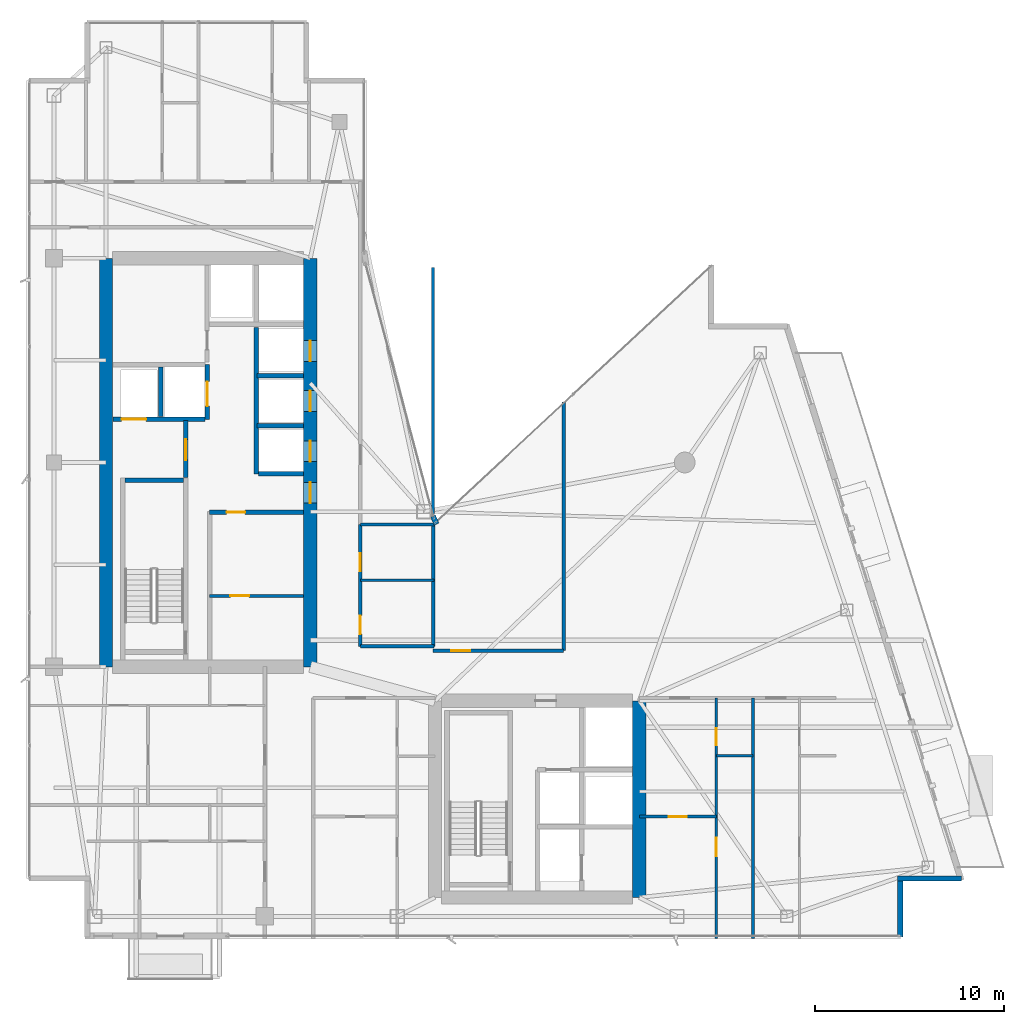
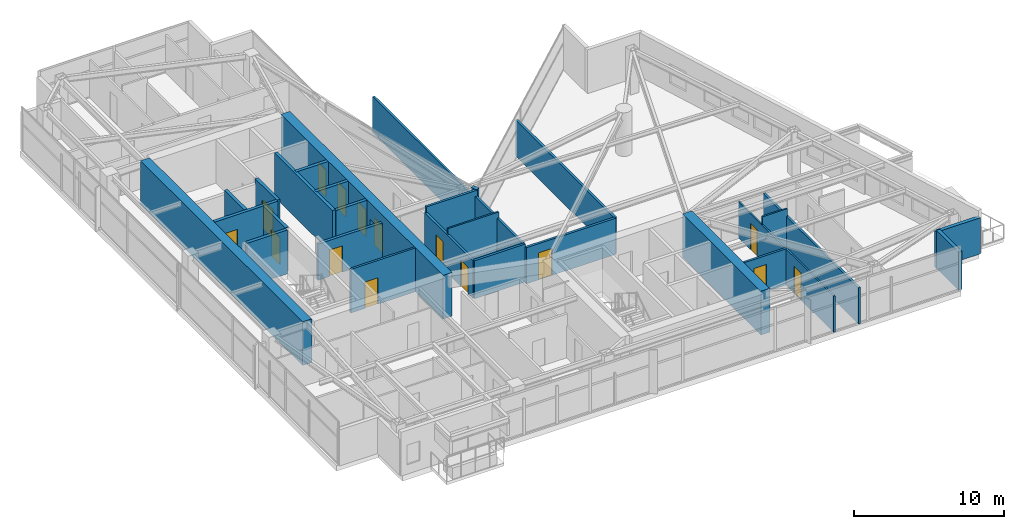
# One storey, part 23 of 28: 29 walls, 15 doors, 15 openings.
"""IFC4 building model written with IfcOpenShell, lengths in metres."""

from ifc_helpers import new_model, si_unit, direction, frame, frame_2d, origin, place, context, subcontext, project, spatial, rectangle, extrude, material, layer, layer_set, type_object, element, fill, save


model = new_model("IFC4")

# Units and contexts
model_context = context("Model", 3, precision=1e-05, world=origin(), true_north=direction((0.0, 1.0)))
body_context = subcontext(model_context, "Body", "Model", "MODEL_VIEW")
ifc_project = project(units=[si_unit("LENGTHUNIT", "METRE"), si_unit("AREAUNIT", "SQUARE_METRE"), si_unit("VOLUMEUNIT", "CUBIC_METRE"), si_unit("PLANEANGLEUNIT", "RADIAN"), si_unit("MASSUNIT", "GRAM", prefix="KILO")], contexts=[model_context])

# Site, building, storey
site_placement = place(None, origin())
site = spatial("IfcSite", under=ifc_project, at=site_placement, CompositionType="ELEMENT")
building_placement = place(site_placement, origin())
building = spatial("IfcBuilding", under=site, at=building_placement, Name="Calvorn Quay Hotel", CompositionType="ELEMENT")
storey_placement = place(building_placement, frame((0.0, 0.0, 219.300048828125)))
storey = spatial("IfcBuildingStorey", under=building, at=storey_placement, Name="L54", CompositionType="ELEMENT", Elevation=219.300048828125)

# Wall
ifc_material_1 = material(Name="Concrete C45", Category="concrete")
ifc_layer_1 = layer(ifc_material_1, 0.699951171875)
ifc_layer_set_1 = layer_set([ifc_layer_1], Name="WL-CORE-700")
wall_type_1 = type_object("IfcWallType", Name="WL-CORE-700", PredefinedType="SHEAR", material=ifc_layer_set_1)
wall_1_placement = place(storey_placement, frame((4.199951171875, 16.800048828125, 0.0), z_axis=(0.0, 0.0, 1.0), x_axis=(0.0, 1.0, 0.0)))
element("IfcWall", 1, at=wall_1_placement, inside=storey, type_object=wall_type_1, Name="West Core Shear Wall W (L54)", PredefinedType="SHEAR", context=body_context, shape_type="SweptSolid", body=[
    extrude(rectangle(XDim=21.599853515625, YDim=0.699951171875, at=frame_2d((10.7998046875, 0.0))), origin(), (0.0, 0.0, 1.0), 3.56005859375),
])

# Wall, openings, doors
wall_2_placement = place(storey_placement, frame((15.0, 16.800048828125, 0.0), z_axis=(0.0, 0.0, 1.0), x_axis=(0.0, 1.0, 0.0)))
wall_2 = element("IfcWall", 2, at=wall_2_placement, inside=storey, type_object=wall_type_1, Name="West Core Shear Wall E (L54)", PredefinedType="SHEAR", context=body_context, shape_type="SweptSolid", body=[
    extrude(rectangle(XDim=21.599853515625, YDim=0.699951171875, at=frame_2d((10.7998046875, 0.0))), origin(), (0.0, 0.0, 1.0), 3.56005859375),
])
opening_1_placement = place(wall_2_placement, frame((8.64990234375, 0.0, 0.0)))
opening_1 = element("IfcOpeningElement", 3, at=opening_1_placement, cuts=wall_2, Name="Opening D-L54-CW1", PredefinedType="OPENING", context=body_context, shape_type="SweptSolid", body=[
    extrude(rectangle(XDim=1.10009765625, YDim=2.199951171875, at=frame_2d((0.550048828125, 1.10009765625))), frame((0.0, 0.35986328125, 0.0), z_axis=(0.0, -1.0, 0.0), x_axis=(1.0, 0.0, 0.0)), (0.0, 0.0, 1.0), 0.719970703125),
])
opening_2_placement = place(wall_2_placement, frame((10.85009765625, 0.0, 0.0)))
opening_2 = element("IfcOpeningElement", 4, at=opening_2_placement, cuts=wall_2, Name="Opening LD-L54-M1", PredefinedType="OPENING", context=body_context, shape_type="SweptSolid", body=[
    extrude(rectangle(XDim=1.10009765625, YDim=2.199951171875, at=frame_2d((0.550048828125, 1.10009765625))), frame((0.0, 0.35986328125, 0.0), z_axis=(0.0, -1.0, 0.0), x_axis=(1.0, 0.0, 0.0)), (0.0, 0.0, 1.0), 0.719970703125),
])
opening_3_placement = place(wall_2_placement, frame((13.5, 0.0, 0.0)))
opening_3 = element("IfcOpeningElement", 5, at=opening_3_placement, cuts=wall_2, Name="Opening LD-L54-M2", PredefinedType="OPENING", context=body_context, shape_type="SweptSolid", body=[
    extrude(rectangle(XDim=1.10009765625, YDim=2.199951171875, at=frame_2d((0.550048828125, 1.10009765625))), frame((0.0, 0.35986328125, 0.0), z_axis=(0.0, -1.0, 0.0), x_axis=(1.0, 0.0, 0.0)), (0.0, 0.0, 1.0), 0.719970703125),
])
opening_4_placement = place(wall_2_placement, frame((16.14990234375, 0.0, 0.0)))
opening_4 = element("IfcOpeningElement", 6, at=opening_4_placement, cuts=wall_2, Name="Opening LD-L54-M3", PredefinedType="OPENING", context=body_context, shape_type="SweptSolid", body=[
    extrude(rectangle(XDim=1.10009765625, YDim=2.199951171875, at=frame_2d((0.550048828125, 1.10009765625))), frame((0.0, 0.35986328125, 0.0), z_axis=(0.0, -1.0, 0.0), x_axis=(1.0, 0.0, 0.0)), (0.0, 0.0, 1.0), 0.719970703125),
])
ifc_material_2 = material(Name="Smoke-Sealed Steel Class A Fire Door", Category="steel")
door_type_1 = type_object("IfcDoorType", Name="DR-FFLOBBY-1100", OperationType="NOTDEFINED", PredefinedType="DOOR", material=ifc_material_2)
door_1_placement = place(opening_1_placement, origin())
door_1 = element("IfcDoor", 7, at=door_1_placement, inside=storey, type_object=door_type_1, Name="West Core Vestibule Fire Door (L54)", OperationType="SINGLE_SWING_LEFT", OverallHeight=2.199951171875, OverallWidth=1.10009765625, PredefinedType="DOOR", context=body_context, shape_type="SweptSolid", body=[
    extrude(rectangle(XDim=1.10009765625, YDim=2.199951171875, at=frame_2d((0.550048828125, 1.10009765625))), frame((0.0, 0.02490234375, 0.0), z_axis=(0.0, -1.0, 0.0), x_axis=(1.0, 0.0, 0.0)), (0.0, 0.0, 1.0), 0.050048828125),
])
fill(opening_1, door_1)
ifc_material_3 = material(Name="Brushed Stainless Steel Sliding Lift Landing Door", Category="steel")
door_type_2 = type_object("IfcDoorType", Name="DR-LIFT-PASS-1100", OperationType="NOTDEFINED", PredefinedType="DOOR", material=ifc_material_3)
door_2_placement = place(opening_2_placement, origin())
door_2 = element("IfcDoor", 8, at=door_2_placement, inside=storey, type_object=door_type_2, Name="Mid-Rise Lift PL-M1 Landing Door (L54)", OperationType="DOUBLE_DOOR_SLIDING", OverallHeight=2.199951171875, OverallWidth=1.10009765625, PredefinedType="DOOR", context=body_context, shape_type="SweptSolid", body=[
    extrude(rectangle(XDim=1.10009765625, YDim=2.199951171875, at=frame_2d((0.550048828125, 1.10009765625))), frame((0.0, 0.02490234375, 0.0), z_axis=(0.0, -1.0, 0.0), x_axis=(1.0, 0.0, 0.0)), (0.0, 0.0, 1.0), 0.050048828125),
])
fill(opening_2, door_2)
door_3_placement = place(opening_3_placement, origin())
door_3 = element("IfcDoor", 9, at=door_3_placement, inside=storey, type_object=door_type_2, Name="Mid-Rise Lift PL-M2 Landing Door (L54)", OperationType="DOUBLE_DOOR_SLIDING", OverallHeight=2.199951171875, OverallWidth=1.10009765625, PredefinedType="DOOR", context=body_context, shape_type="SweptSolid", body=[
    extrude(rectangle(XDim=1.10009765625, YDim=2.199951171875, at=frame_2d((0.550048828125, 1.10009765625))), frame((0.0, 0.02490234375, 0.0), z_axis=(0.0, -1.0, 0.0), x_axis=(1.0, 0.0, 0.0)), (0.0, 0.0, 1.0), 0.050048828125),
])
fill(opening_3, door_3)
door_4_placement = place(opening_4_placement, origin())
door_4 = element("IfcDoor", 10, at=door_4_placement, inside=storey, type_object=door_type_2, Name="Mid-Rise Lift PL-M3 Landing Door (L54)", OperationType="DOUBLE_DOOR_SLIDING", OverallHeight=2.199951171875, OverallWidth=1.10009765625, PredefinedType="DOOR", context=body_context, shape_type="SweptSolid", body=[
    extrude(rectangle(XDim=1.10009765625, YDim=2.199951171875, at=frame_2d((0.550048828125, 1.10009765625))), frame((0.0, 0.02490234375, 0.0), z_axis=(0.0, -1.0, 0.0), x_axis=(1.0, 0.0, 0.0)), (0.0, 0.0, 1.0), 0.050048828125),
])
fill(opening_4, door_4)

# Walls
wall_3_placement = place(storey_placement, frame((32.39990234375, 4.60009765625, 0.0), z_axis=(0.0, 0.0, 1.0), x_axis=(0.0, 1.0, 0.0)))
element("IfcWall", 11, at=wall_3_placement, inside=storey, type_object=wall_type_1, Name="East Core Shear Wall E (L54)", PredefinedType="SHEAR", context=body_context, shape_type="SweptSolid", body=[
    extrude(rectangle(XDim=10.39990234375, YDim=0.699951171875, at=frame_2d((5.199951171875, 0.0))), origin(), (0.0, 0.0, 1.0), 3.56005859375),
])
ifc_material_4 = material(Name="Acoustic Fireboard Steel-Stud Partition", Category="steel")
ifc_layer_2 = layer(ifc_material_4, 0.179931640625)
ifc_layer_set_2 = layer_set([ifc_layer_2], Name="WL-CORR-FIRE-180")
wall_type_2 = type_object("IfcWallType", Name="WL-CORR-FIRE-180", PredefinedType="PARTITIONING", material=ifc_layer_set_2)
wall_4_placement = place(storey_placement, frame((17.64990234375, 17.8798828125, 0.0), z_axis=(0.0, 0.0, 1.0), x_axis=(1.0, 0.0, 0.0)))
element("IfcWall", 12, at=wall_4_placement, inside=storey, type_object=wall_type_2, Name="Partition Wall L54-WL-HK-S", PredefinedType="PARTITIONING", context=body_context, shape_type="SweptSolid", body=[
    extrude(rectangle(XDim=3.900146484375, YDim=0.179931640625, at=frame_2d((1.9501953125, 0.0))), origin(), (0.0, 0.0, 1.0), 3.08984375),
])
wall_5_placement = place(storey_placement, frame((17.64990234375, 24.320068359375, 0.0), z_axis=(0.0, 0.0, 1.0), x_axis=(1.0, 0.0, 0.0)))
element("IfcWall", 13, at=wall_5_placement, inside=storey, type_object=wall_type_2, Name="Partition Wall L54-WL-HK-N", PredefinedType="PARTITIONING", context=body_context, shape_type="SweptSolid", body=[
    extrude(rectangle(XDim=3.9501953125, YDim=0.179931640625, at=frame_2d((1.97509765625, 0.0))), origin(), (0.0, 0.0, 1.0), 3.56005859375),
])
wall_6_placement = place(storey_placement, frame((21.5, 17.8798828125, 0.0), z_axis=(0.0, 0.0, 1.0), x_axis=(0.0, 1.0, 0.0)))
element("IfcWall", 14, at=wall_6_placement, inside=storey, type_object=wall_type_2, Name="Partition Wall L54-WL-HK-E", PredefinedType="PARTITIONING", context=body_context, shape_type="SweptSolid", body=[
    extrude(rectangle(XDim=6.440185546875, YDim=0.179931640625, at=frame_2d((3.22021484375, 0.0))), origin(), (0.0, 0.0, 1.0), 3.08984375),
])

# Wall, openings, doors
wall_7_placement = place(storey_placement, frame((17.64990234375, 17.8798828125, 0.0), z_axis=(0.0, 0.0, 1.0), x_axis=(0.0, 1.0, 0.0)))
wall_7 = element("IfcWall", 15, at=wall_7_placement, inside=storey, type_object=wall_type_2, Name="Partition Wall L54-WL-HK-W", PredefinedType="PARTITIONING", context=body_context, shape_type="SweptSolid", body=[
    extrude(rectangle(XDim=6.440185546875, YDim=0.179931640625, at=frame_2d((3.22021484375, 0.0))), origin(), (0.0, 0.0, 1.0), 3.08984375),
])
opening_5_placement = place(wall_7_placement, frame((0.64990234375, 0.0, 0.0)))
opening_5 = element("IfcOpeningElement", 16, at=opening_5_placement, cuts=wall_7, Name="Opening D-L54-HK", PredefinedType="OPENING", context=body_context, shape_type="SweptSolid", body=[
    extrude(rectangle(XDim=0.97998046875, YDim=2.14990234375, at=frame_2d((0.489990234375, 1.074951171875))), frame((0.0, 0.099853515625, 0.0), z_axis=(0.0, -1.0, 0.0), x_axis=(1.0, 0.0, 0.0)), (0.0, 0.0, 1.0), 0.199951171875),
])
opening_6_placement = place(wall_7_placement, frame((3.969970703125, 0.0, 0.0)))
opening_6 = element("IfcOpeningElement", 17, at=opening_6_placement, cuts=wall_7, Name="Opening D-L54-NCP", PredefinedType="OPENING", context=body_context, shape_type="SweptSolid", body=[
    extrude(rectangle(XDim=0.9599609375, YDim=2.199951171875, at=frame_2d((0.47998046875, 1.10009765625))), frame((0.0, 0.099853515625, 0.0), z_axis=(0.0, -1.0, 0.0), x_axis=(1.0, 0.0, 0.0)), (0.0, 0.0, 1.0), 0.199951171875),
])
ifc_material_5 = material(Name="Painted Steel Housekeeping/Riser Fire Door", Category="steel")
door_type_3 = type_object("IfcDoorType", Name="DR-SERVICE-980", OperationType="NOTDEFINED", PredefinedType="DOOR", material=ifc_material_5)
door_5_placement = place(opening_5_placement, origin())
door_5 = element("IfcDoor", 18, at=door_5_placement, inside=storey, type_object=door_type_3, Name="Floor Housekeeping Door (L54)", OperationType="SINGLE_SWING_LEFT", OverallHeight=2.14990234375, OverallWidth=0.97998046875, PredefinedType="DOOR", context=body_context, shape_type="SweptSolid", body=[
    extrude(rectangle(XDim=0.97998046875, YDim=2.14990234375, at=frame_2d((0.489990234375, 1.074951171875))), frame((0.0, 0.02490234375, 0.0), z_axis=(0.0, -1.0, 0.0), x_axis=(1.0, 0.0, 0.0)), (0.0, 0.0, 1.0), 0.050048828125),
])
fill(opening_5, door_5)
ifc_material_6 = material(Name="Solid Timber Internal Suite Door", Category="wood")
door_type_4 = type_object("IfcDoorType", Name="DR-SUITE-INT-960", OperationType="NOTDEFINED", PredefinedType="DOOR", material=ifc_material_6)
door_6_placement = place(opening_6_placement, origin())
door_6 = element("IfcDoor", 19, at=door_6_placement, inside=storey, type_object=door_type_4, Name="Reading Alcove Door (L54)", OperationType="SINGLE_SWING_RIGHT", OverallHeight=2.199951171875, OverallWidth=0.9599609375, PredefinedType="DOOR", context=body_context, shape_type="SweptSolid", body=[
    extrude(rectangle(XDim=0.9599609375, YDim=2.199951171875, at=frame_2d((0.47998046875, 1.10009765625))), frame((0.0, 0.02490234375, 0.0), z_axis=(0.0, -1.0, 0.0), x_axis=(1.0, 0.0, 0.0)), (0.0, 0.0, 1.0), 0.050048828125),
])
fill(opening_6, door_6)

# Wall, opening, door
wall_8_placement = place(storey_placement, frame((21.5, 17.64990234375, 0.0), z_axis=(0.0, 0.0, 1.0), x_axis=(1.0, 0.0, 0.0)))
wall_8 = element("IfcWall", 20, at=wall_8_placement, inside=storey, type_object=wall_type_2, Name="Partition Wall L54-WL-CORR-NE-N", PredefinedType="PARTITIONING", context=body_context, shape_type="SweptSolid", body=[
    extrude(rectangle(XDim=6.89990234375, YDim=0.179931640625, at=frame_2d((3.449951171875, 0.0))), origin(), (0.0, 0.0, 1.0), 2.93994140625),
])
opening_7_placement = place(wall_8_placement, frame((0.949951171875, 0.0, 0.0)))
opening_7 = element("IfcOpeningElement", 21, at=opening_7_placement, cuts=wall_8, Name="Opening D-L54-NS1", PredefinedType="OPENING", context=body_context, shape_type="SweptSolid", body=[
    extrude(rectangle(XDim=1.02001953125, YDim=2.199951171875, at=frame_2d((0.510009765625, 1.10009765625))), frame((0.0, 0.099853515625, 0.0), z_axis=(0.0, -1.0, 0.0), x_axis=(1.0, 0.0, 0.0)), (0.0, 0.0, 1.0), 0.199951171875),
])
ifc_material_7 = material(Name="Solid-Core Walnut Veneer Hotel Fire Door")
door_type_5 = type_object("IfcDoorType", Name="DR-GUEST-ENTRY-1020", OperationType="NOTDEFINED", PredefinedType="DOOR", material=ifc_material_7)
door_7_placement = place(opening_7_placement, origin())
door_7 = element("IfcDoor", 22, at=door_7_placement, inside=storey, type_object=door_type_5, Name="Conservatory Salon Door 1 (L54)", OperationType="SINGLE_SWING_RIGHT", OverallHeight=2.199951171875, OverallWidth=1.02001953125, PredefinedType="DOOR", context=body_context, shape_type="SweptSolid", body=[
    extrude(rectangle(XDim=1.02001953125, YDim=2.199951171875, at=frame_2d((0.510009765625, 1.10009765625))), frame((0.0, 0.02490234375, 0.0), z_axis=(0.0, -1.0, 0.0), x_axis=(1.0, 0.0, 0.0)), (0.0, 0.0, 1.0), 0.050048828125),
])
fill(opening_7, door_7)

# Walls
wall_9_placement = place(storey_placement, frame((28.39990234375, 17.64990234375, 0.0), z_axis=(0.0, 0.0, 1.0), x_axis=(0.0, 1.0, 0.0)))
element("IfcWall", 23, at=wall_9_placement, inside=storey, type_object=wall_type_2, Name="Partition Wall L54-WL-NE-END-E", PredefinedType="PARTITIONING", context=body_context, shape_type="SweptSolid", body=[
    extrude(rectangle(XDim=13.16015625, YDim=0.179931640625, at=frame_2d((6.580078125, 0.0))), origin(), (0.0, 0.0, 1.0), 2.93994140625),
])
ifc_material_8 = material(Name="Moisture-Resistant Tile-Backed Partition")
ifc_layer_3 = layer(ifc_material_8, 0.125)
ifc_layer_set_3 = layer_set([ifc_layer_3], Name="WL-ENSUITE-125")
wall_type_3 = type_object("IfcWallType", Name="WL-ENSUITE-125", PredefinedType="PARTITIONING", material=ifc_layer_set_3)
wall_10_placement = place(storey_placement, frame((17.64990234375, 21.3798828125, 0.0), z_axis=(0.0, 0.0, 1.0), x_axis=(1.0, 0.0, 0.0)))
element("IfcWall", 24, at=wall_10_placement, inside=storey, type_object=wall_type_3, Name="Partition Wall L54-WL-HK-M", PredefinedType="PARTITIONING", context=body_context, shape_type="SweptSolid", body=[
    extrude(rectangle(XDim=3.900146484375, YDim=0.125, at=frame_2d((1.9501953125, 0.0))), origin(), (0.0, 0.0, 1.0), 3.56005859375),
])
wall_11_placement = place(storey_placement, frame((36.469970703125, 12.10009765625, 0.0), z_axis=(0.0, 0.0, 1.0), x_axis=(1.0, 0.0, 0.0)))
element("IfcWall", 25, at=wall_11_placement, inside=storey, type_object=wall_type_3, Name="Partition Wall L54-WL-U06-BDV", PredefinedType="PARTITIONING", context=body_context, shape_type="SweptSolid", body=[
    extrude(rectangle(XDim=1.929931640625, YDim=0.125, at=frame_2d((0.96484375, 0.0))), origin(), (0.0, 0.0, 1.0), 3.56005859375),
])

# Wall, openings, doors
wall_12_placement = place(storey_placement, frame((36.469970703125, 2.43994140625, 0.0), z_axis=(0.0, 0.0, 1.0), x_axis=(0.0, 1.0, 0.0)))
wall_12 = element("IfcWall", 26, at=wall_12_placement, inside=storey, type_object=wall_type_3, Name="Partition Wall L54-WL-U06-BV", PredefinedType="PARTITIONING", context=body_context, shape_type="SweptSolid", body=[
    extrude(rectangle(XDim=12.7099609375, YDim=0.125, at=frame_2d((6.35498046875, 0.0))), origin(), (0.0, 0.0, 1.0), 2.93994140625),
])
opening_8_placement = place(wall_12_placement, frame((4.35009765625, 0.0, 0.0)))
opening_8 = element("IfcOpeningElement", 27, at=opening_8_placement, cuts=wall_12, Name="Opening D-L54-S06", PredefinedType="OPENING", context=body_context, shape_type="SweptSolid", body=[
    extrude(rectangle(XDim=0.9599609375, YDim=2.199951171875, at=frame_2d((0.47998046875, 1.10009765625))), frame((0.0, 0.072509765625, 0.0), z_axis=(0.0, -1.0, 0.0), x_axis=(1.0, 0.0, 0.0)), (0.0, 0.0, 1.0), 0.14501953125),
])
opening_9_placement = place(wall_12_placement, frame((10.2099609375, 0.0, 0.0)))
opening_9 = element("IfcOpeningElement", 28, at=opening_9_placement, cuts=wall_12, Name="Opening D-L54-E06", PredefinedType="OPENING", context=body_context, shape_type="SweptSolid", body=[
    extrude(rectangle(XDim=0.89990234375, YDim=2.14990234375, at=frame_2d((0.449951171875, 1.074951171875))), frame((0.0, 0.072509765625, 0.0), z_axis=(0.0, -1.0, 0.0), x_axis=(1.0, 0.0, 0.0)), (0.0, 0.0, 1.0), 0.14501953125),
])
ifc_material_9 = material(Name="Moisture-Sealed Timber En-Suite Door", Category="wood")
door_type_6 = type_object("IfcDoorType", Name="DR-ENSUITE-900", OperationType="NOTDEFINED", PredefinedType="DOOR", material=ifc_material_9)
door_8_placement = place(opening_9_placement, origin())
door_8 = element("IfcDoor", 29, at=door_8_placement, inside=storey, type_object=door_type_6, Name="En-Suite Door 06", OperationType="SINGLE_SWING_RIGHT", OverallHeight=2.14990234375, OverallWidth=0.89990234375, PredefinedType="DOOR", context=body_context, shape_type="SweptSolid", body=[
    extrude(rectangle(XDim=0.89990234375, YDim=2.14990234375, at=frame_2d((0.449951171875, 1.074951171875))), frame((0.0, 0.02490234375, 0.0), z_axis=(0.0, -1.0, 0.0), x_axis=(1.0, 0.0, 0.0)), (0.0, 0.0, 1.0), 0.050048828125),
])
fill(opening_9, door_8)
door_9_placement = place(opening_8_placement, origin())
door_9 = element("IfcDoor", 30, at=door_9_placement, inside=storey, type_object=door_type_4, Name="Executive Work Office Door 06", OperationType="SINGLE_SWING_LEFT", OverallHeight=2.199951171875, OverallWidth=0.9599609375, PredefinedType="DOOR", context=body_context, shape_type="SweptSolid", body=[
    extrude(rectangle(XDim=0.9599609375, YDim=2.199951171875, at=frame_2d((0.47998046875, 1.10009765625))), frame((0.0, 0.02490234375, 0.0), z_axis=(0.0, -1.0, 0.0), x_axis=(1.0, 0.0, 0.0)), (0.0, 0.0, 1.0), 0.050048828125),
])
fill(opening_8, door_9)

# Walls
ifc_material_10 = material(Name="Concrete C40", Category="concrete")
ifc_layer_4 = layer(ifc_material_10, 0.320068359375)
ifc_layer_set_4 = layer_set([ifc_layer_4], Name="WL-EXT-SPANDREL-320")
wall_type_4 = type_object("IfcWallType", Name="WL-EXT-SPANDREL-320", PredefinedType="SOLIDWALL", material=ifc_layer_set_4)
wall_13_placement = place(storey_placement, frame((21.679931640625, 24.340087890625, 0.0), z_axis=(0.0, 0.0, 1.0), x_axis=(-0.40758134973, 0.913168901875, 0.0)))
element("IfcWall", 31, at=wall_13_placement, inside=storey, type_object=wall_type_4, Name="Inner Court Corner Pier L54-ICJ1", PredefinedType="SOLIDWALL", context=body_context, shape_type="SweptSolid", body=[
    extrude(rectangle(XDim=0.470703125, YDim=0.280029296875, at=frame_2d((0.2353515625, 0.0))), origin(), (0.0, 0.0, 1.0), 3.56005859375),
])
wall_14_placement = place(storey_placement, frame((46.199951171875, 2.52001953125, 0.0), z_axis=(0.0, 0.0, 1.0), x_axis=(0.0, 1.0, 0.0)))
element("IfcWall", 32, at=wall_14_placement, inside=storey, type_object=wall_type_4, Name="Notched Corner Spandrel L54-SE1", PredefinedType="SOLIDWALL", context=body_context, shape_type="SweptSolid", body=[
    extrude(rectangle(XDim=2.93994140625, YDim=0.280029296875, at=frame_2d((1.469970703125, 0.0))), origin(), (0.0, 0.0, 1.0), 3.08984375),
])
wall_15_placement = place(storey_placement, frame((46.06005859375, 5.60009765625, 0.0), z_axis=(0.0, 0.0, 1.0), x_axis=(1.0, 0.0, 0.0)))
element("IfcWall", 33, at=wall_15_placement, inside=storey, type_object=wall_type_4, Name="Notched Corner Spandrel L54-SE2", PredefinedType="SOLIDWALL", context=body_context, shape_type="SweptSolid", body=[
    extrude(rectangle(XDim=3.3798828125, YDim=0.280029296875, at=frame_2d((1.68994140625, 0.0))), origin(), (0.0, 0.0, 1.0), 2.93994140625),
])

# Wall, opening, door
ifc_material_11 = material(Name="Double-Stud Acoustic Gypsum Partition")
ifc_layer_5 = layer(ifc_material_11, 0.159912109375)
ifc_layer_set_5 = layer_set([ifc_layer_5], Name="WL-INTERSUITE-160")
wall_type_5 = type_object("IfcWallType", Name="WL-INTERSUITE-160", PredefinedType="PARTITIONING", material=ifc_layer_set_5)
wall_16_placement = place(storey_placement, frame((9.679931640625, 20.550048828125, 0.0), z_axis=(0.0, 0.0, 1.0), x_axis=(1.0, 0.0, 0.0)))
wall_16 = element("IfcWall", 34, at=wall_16_placement, inside=storey, type_object=wall_type_5, Name="Partition Wall L54-WL-CWW-FR-SPLIT", PredefinedType="PARTITIONING", context=body_context, shape_type="SweptSolid", body=[
    extrude(rectangle(XDim=4.949951171875, YDim=0.159912109375, at=frame_2d((2.47509765625, 0.0))), origin(), (0.0, 0.0, 1.0), 3.56005859375),
])
opening_10_placement = place(wall_16_placement, frame((1.10009765625, 0.0, 0.0)))
opening_10 = element("IfcOpeningElement", 35, at=opening_10_placement, cuts=wall_16, Name="Opening D-L54-FRL1", PredefinedType="OPENING", context=body_context, shape_type="SweptSolid", body=[
    extrude(rectangle(XDim=0.97998046875, YDim=2.14990234375, at=frame_2d((0.489990234375, 1.074951171875))), frame((0.0, 0.08984375, 0.0), z_axis=(0.0, -1.0, 0.0), x_axis=(1.0, 0.0, 0.0)), (0.0, 0.0, 1.0), 0.179931640625),
])
door_10_placement = place(opening_10_placement, origin())
door_10 = element("IfcDoor", 36, at=door_10_placement, inside=storey, type_object=door_type_3, Name="Linen Store Room Door (L54)", OperationType="SINGLE_SWING_LEFT", OverallHeight=2.14990234375, OverallWidth=0.97998046875, PredefinedType="DOOR", context=body_context, shape_type="SweptSolid", body=[
    extrude(rectangle(XDim=0.97998046875, YDim=2.14990234375, at=frame_2d((0.489990234375, 1.074951171875))), frame((0.0, 0.02490234375, 0.0), z_axis=(0.0, -1.0, 0.0), x_axis=(1.0, 0.0, 0.0)), (0.0, 0.0, 1.0), 0.050048828125),
])
fill(opening_10, door_10)

wall_17_placement = place(storey_placement, frame((32.39990234375, 8.8798828125, 0.0), z_axis=(0.0, 0.0, 1.0), x_axis=(1.0, 0.0, 0.0)))
wall_17 = element("IfcWall", 37, at=wall_17_placement, inside=storey, type_object=wall_type_5, Name="Partition Wall L54-WL-U06-MSP", PredefinedType="PARTITIONING", context=body_context, shape_type="SweptSolid", body=[
    extrude(rectangle(XDim=4.070068359375, YDim=0.159912109375, at=frame_2d((2.03515625, 0.0))), origin(), (0.0, 0.0, 1.0), 2.93994140625),
])
opening_11_placement = place(wall_17_placement, frame((1.56005859375, 0.0, 0.0)))
opening_11 = element("IfcOpeningElement", 38, at=opening_11_placement, cuts=wall_17, Name="Opening D-L54-M06", PredefinedType="OPENING", context=body_context, shape_type="SweptSolid", body=[
    extrude(rectangle(XDim=0.9599609375, YDim=2.199951171875, at=frame_2d((0.47998046875, 1.10009765625))), frame((0.0, 0.08984375, 0.0), z_axis=(0.0, -1.0, 0.0), x_axis=(1.0, 0.0, 0.0)), (0.0, 0.0, 1.0), 0.179931640625),
])
door_11_placement = place(opening_11_placement, origin())
door_11 = element("IfcDoor", 39, at=door_11_placement, inside=storey, type_object=door_type_4, Name="Suite Bedroom Door 06", OperationType="SINGLE_SWING_LEFT", OverallHeight=2.199951171875, OverallWidth=0.9599609375, PredefinedType="DOOR", context=body_context, shape_type="SweptSolid", body=[
    extrude(rectangle(XDim=0.9599609375, YDim=2.199951171875, at=frame_2d((0.47998046875, 1.10009765625))), frame((0.0, 0.02490234375, 0.0), z_axis=(0.0, -1.0, 0.0), x_axis=(1.0, 0.0, 0.0)), (0.0, 0.0, 1.0), 0.050048828125),
])
fill(opening_11, door_11)

# Walls
wall_18_placement = place(storey_placement, frame((38.39990234375, 2.43994140625, 0.0), z_axis=(0.0, 0.0, 1.0), x_axis=(0.0, 1.0, 0.0)))
element("IfcWall", 40, at=wall_18_placement, inside=storey, type_object=wall_type_5, Name="Partition Wall L54-WL-SE-DIV-1", PredefinedType="PARTITIONING", context=body_context, shape_type="SweptSolid", body=[
    extrude(rectangle(XDim=12.7099609375, YDim=0.159912109375, at=frame_2d((6.35498046875, 0.0))), origin(), (0.0, 0.0, 1.0), 2.93994140625),
])
wall_19_placement = place(storey_placement, frame((21.5, 24.85009765625, 0.0), z_axis=(0.0, 0.0, 1.0), x_axis=(0.0, 1.0, 0.0)))
element("IfcWall", 41, at=wall_19_placement, inside=storey, type_object=wall_type_5, Name="Partition Wall L54-WL-NC-UPPER-E", PredefinedType="PARTITIONING", context=body_context, shape_type="SweptSolid", body=[
    extrude(rectangle(XDim=13.0498046875, YDim=0.159912109375, at=frame_2d((6.52490234375, 0.0))), origin(), (0.0, 0.0, 1.0), 2.93994140625),
])

# Wall, opening, door
ifc_material_12 = material(Name="Autoclaved Aerated Masonry Block", Category="masonry")
ifc_layer_6 = layer(ifc_material_12, 0.219970703125)
ifc_layer_set_6 = layer_set([ifc_layer_6], Name="WL-LOBBY-FIRE-220")
wall_type_6 = type_object("IfcWallType", Name="WL-LOBBY-FIRE-220", PredefinedType="SOLIDWALL", material=ifc_layer_set_6)
wall_20_placement = place(storey_placement, frame((9.679931640625, 24.969970703125, 0.0), z_axis=(0.0, 0.0, 1.0), x_axis=(1.0, 0.0, 0.0)))
wall_20 = element("IfcWall", 42, at=wall_20_placement, inside=storey, type_object=wall_type_6, Name="Partition Wall L54-WL-CWW-FR-N", PredefinedType="SOLIDWALL", context=body_context, shape_type="SweptSolid", body=[
    extrude(rectangle(XDim=4.949951171875, YDim=0.219970703125, at=frame_2d((2.47509765625, 0.0))), origin(), (0.0, 0.0, 1.0), 2.93994140625),
])
opening_12_placement = place(wall_20_placement, frame((0.89990234375, 0.0, 0.0)))
opening_12 = element("IfcOpeningElement", 43, at=opening_12_placement, cuts=wall_20, Name="Opening D-L54-FRL2", PredefinedType="OPENING", context=body_context, shape_type="SweptSolid", body=[
    extrude(rectangle(XDim=0.97998046875, YDim=2.14990234375, at=frame_2d((0.489990234375, 1.074951171875))), frame((0.0, 0.119873046875, 0.0), z_axis=(0.0, -1.0, 0.0), x_axis=(1.0, 0.0, 0.0)), (0.0, 0.0, 1.0), 0.239990234375),
])
door_12_placement = place(opening_12_placement, origin())
door_12 = element("IfcDoor", 44, at=door_12_placement, inside=storey, type_object=door_type_3, Name="Beverage Pantry Door (L54)", OperationType="SINGLE_SWING_RIGHT", OverallHeight=2.14990234375, OverallWidth=0.97998046875, PredefinedType="DOOR", context=body_context, shape_type="SweptSolid", body=[
    extrude(rectangle(XDim=0.97998046875, YDim=2.14990234375, at=frame_2d((0.489990234375, 1.074951171875))), frame((0.0, 0.02490234375, 0.0), z_axis=(0.0, -1.0, 0.0), x_axis=(1.0, 0.0, 0.0)), (0.0, 0.0, 1.0), 0.050048828125),
])
fill(opening_12, door_12)

# Walls
ifc_material_13 = material(Name="Concrete C40", Category="concrete")
ifc_layer_7 = layer(ifc_material_13, 0.239990234375)
ifc_layer_set_7 = layer_set([ifc_layer_7], Name="WL-SHAFT-240")
wall_type_7 = type_object("IfcWallType", Name="WL-SHAFT-240", PredefinedType="SOLIDWALL", material=ifc_layer_set_7)
wall_21_placement = place(storey_placement, frame((5.199951171875, 26.669921875, 0.0), z_axis=(0.0, 0.0, 1.0), x_axis=(1.0, 0.0, 0.0)))
element("IfcWall", 45, at=wall_21_placement, inside=storey, type_object=wall_type_7, Name="Stair STW Shaft Wall N (L54)", PredefinedType="SOLIDWALL", context=body_context, shape_type="SweptSolid", body=[
    extrude(rectangle(XDim=3.10009765625, YDim=0.239990234375, at=frame_2d((1.550048828125, 0.0))), origin(), (0.0, 0.0, 1.0), 3.56005859375),
])
for number, where, z_axis, x_axis, name in (
    (46, (12.179931640625, 29.550048828125, 0.0), (0.0, 0.0, 1.0), (1.0, 0.0, 0.0), "Lift Hoistway Divider Wall PLM12 (L54)"),
    (47, (12.179931640625, 32.199951171875, 0.0), (0.0, 0.0, 1.0), (1.0, 0.0, 0.0), "Lift Hoistway Divider Wall PLM23 (L54)"),
):
    element("IfcWall", number, at=place(storey_placement, frame(where, z_axis=z_axis, x_axis=x_axis)), inside=storey, type_object=wall_type_7, Name=name, PredefinedType="SOLIDWALL", context=body_context, shape_type="SweptSolid", body=[
        extrude(rectangle(XDim=2.469970703125, YDim=0.239990234375, at=frame_2d((1.23486328125, 0.0))), origin(), (0.0, 0.0, 1.0), 3.56005859375),
    ])

# Wall, opening, door
wall_22_placement = place(storey_placement, frame((8.419921875, 26.820068359375, 0.0), z_axis=(0.0, 0.0, 1.0), x_axis=(0.0, 1.0, 0.0)))
wall_22 = element("IfcWall", 48, at=wall_22_placement, inside=storey, type_object=wall_type_7, Name="Partition Wall L54-WL-CWW-FFL-E", PredefinedType="SOLIDWALL", context=body_context, shape_type="SweptSolid", body=[
    extrude(rectangle(XDim=3.0, YDim=0.239990234375, at=frame_2d((1.5, 0.0))), origin(), (0.0, 0.0, 1.0), 3.56005859375),
])
opening_13_placement = place(wall_22_placement, frame((0.89990234375, 0.0, 0.0)))
opening_13 = element("IfcOpeningElement", 49, at=opening_13_placement, cuts=wall_22, Name="Opening D-L54-FLW", PredefinedType="OPENING", context=body_context, shape_type="SweptSolid", body=[
    extrude(rectangle(XDim=1.10009765625, YDim=2.199951171875, at=frame_2d((0.550048828125, 1.10009765625))), frame((0.0, 0.1298828125, 0.0), z_axis=(0.0, -1.0, 0.0), x_axis=(1.0, 0.0, 0.0)), (0.0, 0.0, 1.0), 0.260009765625),
])
door_13_placement = place(opening_13_placement, origin())
door_13 = element("IfcDoor", 50, at=door_13_placement, inside=storey, type_object=door_type_1, Name="West Firefighting Lobby Fire Door (L54)", OperationType="SINGLE_SWING_RIGHT", OverallHeight=2.199951171875, OverallWidth=1.10009765625, PredefinedType="DOOR", context=body_context, shape_type="SweptSolid", body=[
    extrude(rectangle(XDim=1.10009765625, YDim=2.199951171875, at=frame_2d((0.550048828125, 1.10009765625))), frame((0.0, 0.02490234375, 0.0), z_axis=(0.0, -1.0, 0.0), x_axis=(1.0, 0.0, 0.0)), (0.0, 0.0, 1.0), 0.050048828125),
])
fill(opening_13, door_13)

wall_23_placement = place(storey_placement, frame((4.570068359375, 29.8798828125, 0.0), z_axis=(0.0, 0.0, 1.0), x_axis=(1.0, 0.0, 0.0)))
wall_23 = element("IfcWall", 51, at=wall_23_placement, inside=storey, type_object=wall_type_7, Name="Partition Wall L54-WL-CWW-FLW-S", PredefinedType="SOLIDWALL", context=body_context, shape_type="SweptSolid", body=[
    extrude(rectangle(XDim=4.849853515625, YDim=0.239990234375, at=frame_2d((2.4248046875, 0.0))), origin(), (0.0, 0.0, 1.0), 3.56005859375),
])
opening_14_placement = place(wall_23_placement, frame((0.449951171875, 0.0, 0.0)))
opening_14 = element("IfcOpeningElement", 52, at=opening_14_placement, cuts=wall_23, Name="Opening LD-L54-FLW1", PredefinedType="OPENING", context=body_context, shape_type="SweptSolid", body=[
    extrude(rectangle(XDim=1.300048828125, YDim=2.35009765625, at=frame_2d((0.64990234375, 1.175048828125))), frame((0.0, 0.1298828125, 0.0), z_axis=(0.0, -1.0, 0.0), x_axis=(1.0, 0.0, 0.0)), (0.0, 0.0, 1.0), 0.260009765625),
])
ifc_material_14 = material(Name="Champagne-Bronze Sliding Express Lift Landing Door")
door_type_7 = type_object("IfcDoorType", Name="DR-LIFT-SHUTTLE-1300", OperationType="NOTDEFINED", PredefinedType="DOOR", material=ifc_material_14)
door_14_placement = place(opening_14_placement, origin())
door_14 = element("IfcDoor", 53, at=door_14_placement, inside=storey, type_object=door_type_7, Name="Firefighting Lift FL-W1 Landing Door (L54)", OperationType="DOUBLE_DOOR_SLIDING", OverallHeight=2.35009765625, OverallWidth=1.300048828125, PredefinedType="DOOR", context=body_context, shape_type="SweptSolid", body=[
    extrude(rectangle(XDim=1.300048828125, YDim=2.35009765625, at=frame_2d((0.64990234375, 1.175048828125))), frame((0.0, 0.02490234375, 0.0), z_axis=(0.0, -1.0, 0.0), x_axis=(1.0, 0.0, 0.0)), (0.0, 0.0, 1.0), 0.050048828125),
])
fill(opening_14, door_14)

# Wall
wall_24_placement = place(storey_placement, frame((7.10009765625, 30.02001953125, 0.0), z_axis=(0.0, 0.0, 1.0), x_axis=(0.0, 1.0, 0.0)))
element("IfcWall", 54, at=wall_24_placement, inside=storey, type_object=wall_type_7, Name="Partition Wall L54-WL-CWW-FLW-DIV", PredefinedType="SOLIDWALL", context=body_context, shape_type="SweptSolid", body=[
    extrude(rectangle(XDim=2.6298828125, YDim=0.239990234375, at=frame_2d((1.31494140625, 0.0))), origin(), (0.0, 0.0, 1.0), 3.56005859375),
])

# Wall, opening, door
wall_25_placement = place(storey_placement, frame((9.5400390625, 29.8798828125, 0.0), z_axis=(0.0, 0.0, 1.0), x_axis=(0.0, 1.0, 0.0)))
wall_25 = element("IfcWall", 55, at=wall_25_placement, inside=storey, type_object=wall_type_7, Name="Partition Wall L54-WL-CWW-SLW-E", PredefinedType="SOLIDWALL", context=body_context, shape_type="SweptSolid", body=[
    extrude(rectangle(XDim=2.900146484375, YDim=0.239990234375, at=frame_2d((1.4501953125, 0.0))), origin(), (0.0, 0.0, 1.0), 3.56005859375),
])
opening_15_placement = place(wall_25_placement, frame((0.699951171875, 0.0, 0.0)))
opening_15 = element("IfcOpeningElement", 56, at=opening_15_placement, cuts=wall_25, Name="Opening LD-L54-SLW1", PredefinedType="OPENING", context=body_context, shape_type="SweptSolid", body=[
    extrude(rectangle(XDim=1.300048828125, YDim=2.35009765625, at=frame_2d((0.64990234375, 1.175048828125))), frame((0.0, 0.1298828125, 0.0), z_axis=(0.0, -1.0, 0.0), x_axis=(1.0, 0.0, 0.0)), (0.0, 0.0, 1.0), 0.260009765625),
])
door_15_placement = place(opening_15_placement, origin())
door_15 = element("IfcDoor", 57, at=door_15_placement, inside=storey, type_object=door_type_7, Name="Service Lift SL-W1 Landing Door (L54)", OperationType="DOUBLE_DOOR_SLIDING", OverallHeight=2.35009765625, OverallWidth=1.300048828125, PredefinedType="DOOR", context=body_context, shape_type="SweptSolid", body=[
    extrude(rectangle(XDim=1.300048828125, YDim=2.35009765625, at=frame_2d((0.64990234375, 1.175048828125))), frame((0.0, 0.02490234375, 0.0), z_axis=(0.0, -1.0, 0.0), x_axis=(1.0, 0.0, 0.0)), (0.0, 0.0, 1.0), 0.050048828125),
])
fill(opening_15, door_15)

# Walls
wall_26_placement = place(storey_placement, frame((12.25, 27.0, 0.0), z_axis=(0.0, 0.0, 1.0), x_axis=(1.0, 0.0, 0.0)))
element("IfcWall", 58, at=wall_26_placement, inside=storey, type_object=wall_type_7, Name="Partition Wall L54-WL-CWW-PLM-S", PredefinedType="SOLIDWALL", context=body_context, shape_type="SweptSolid", body=[
    extrude(rectangle(XDim=2.3798828125, YDim=0.239990234375, at=frame_2d((1.18994140625, 0.0))), origin(), (0.0, 0.0, 1.0), 3.56005859375),
])
wall_27_placement = place(storey_placement, frame((12.14990234375, 27.0, 0.0), z_axis=(0.0, 0.0, 1.0), x_axis=(0.0, 1.0, 0.0)))
element("IfcWall", 59, at=wall_27_placement, inside=storey, type_object=wall_type_7, Name="Partition Wall L54-WL-CWW-PLM-W", PredefinedType="SOLIDWALL", context=body_context, shape_type="SweptSolid", body=[
    extrude(rectangle(XDim=7.75, YDim=0.239990234375, at=frame_2d((3.875, 0.0))), origin(), (0.0, 0.0, 1.0), 3.56005859375),
])

save(model, "model.ifc")
